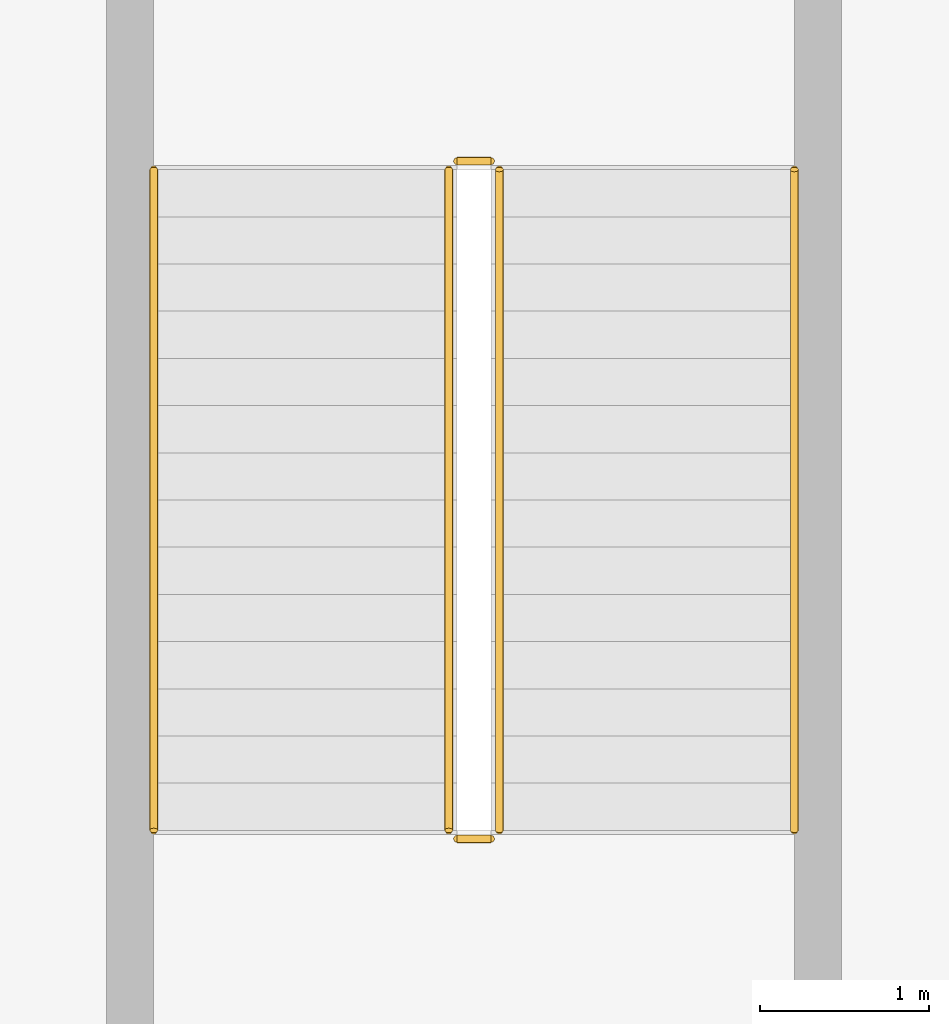
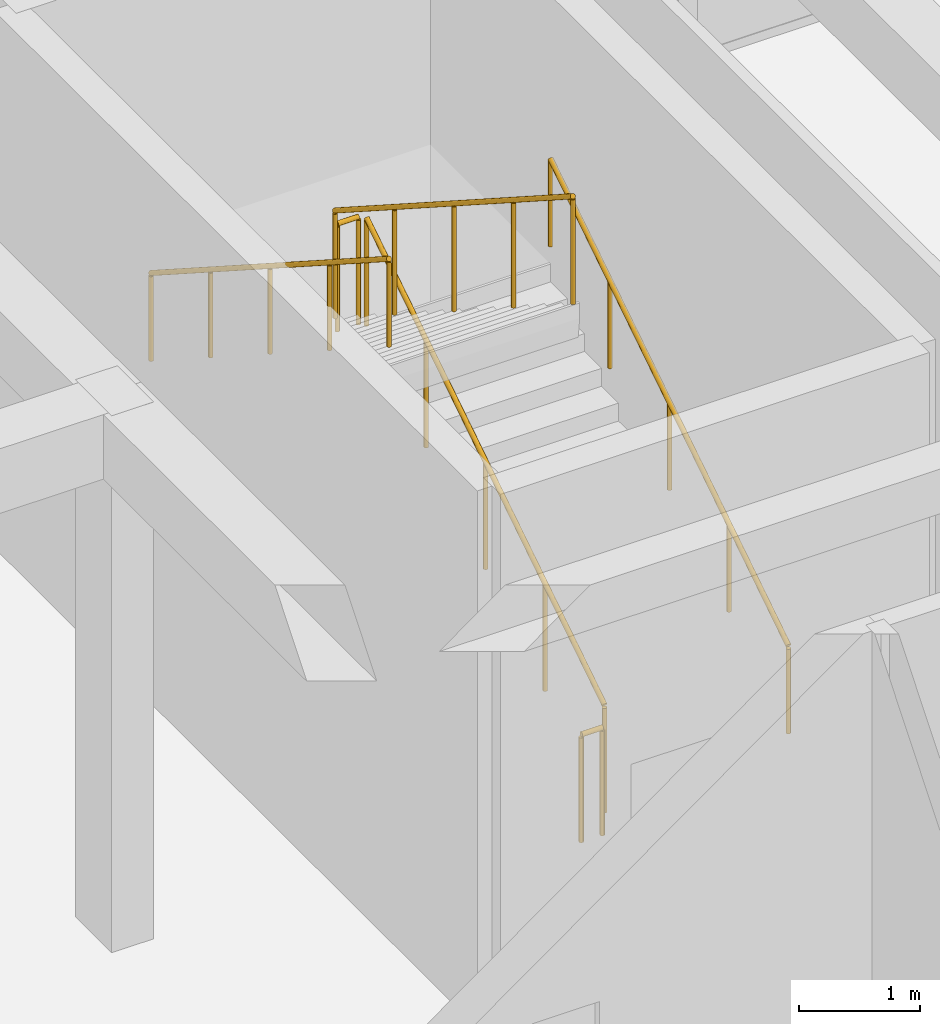
# One storey, part 84 of 89: 6 railings.
"""IFC4 building model written with IfcOpenShell, lengths in metres."""

from ifc_helpers import new_model, si_unit, direction, frame, origin, origin_2d, place, context, subcontext, project, spatial, circle, extrude, material, type_object, element, save


model = new_model("IFC4")

# Units and contexts
model_context = context("Model", 3, precision=1e-05, world=origin(), true_north=direction((0.0, 1.0)))
body_context = subcontext(model_context, "Body", "Model", "MODEL_VIEW")
ifc_project = project(units=[si_unit("LENGTHUNIT", "METRE"), si_unit("AREAUNIT", "SQUARE_METRE"), si_unit("VOLUMEUNIT", "CUBIC_METRE"), si_unit("PLANEANGLEUNIT", "RADIAN"), si_unit("MASSUNIT", "GRAM", prefix="KILO")], contexts=[model_context])

# Site, building, storey
site_placement = place(None, origin())
site = spatial("IfcSite", under=ifc_project, at=site_placement, CompositionType="ELEMENT")
building_placement = place(site_placement, origin())
building = spatial("IfcBuilding", under=site, at=building_placement, Name="Varncliffe General Hospital", CompositionType="ELEMENT")
storey_placement = place(building_placement, frame((0.0, 0.0, 10.800048828125)))
storey = spatial("IfcBuildingStorey", under=building, at=storey_placement, Name="L02", CompositionType="ELEMENT", Elevation=10.800048828125)

# Railings
ifc_material = material(Name="Powder-coated hospital steel guardrail and handrail", Category="steel")
railing_type_1 = type_object("IfcRailingType", Name="Stair and Ramp Handrail HR46", PredefinedType="HANDRAIL", material=ifc_material)
railing_1_placement = place(storey_placement, frame((140.35009765625, 31.60009765625, 0.364013671875)))
element("IfcRailing", 1, at=railing_1_placement, inside=storey, type_object=railing_type_1, Name="L02 ST15 stair handrail 1", PredefinedType="HANDRAIL", context=body_context, shape_type="SweptSolid", body=[
    extrude(circle(Radius=0.02392578125, at=origin_2d()), frame((0.0, 0.0, 0.8759765625), z_axis=(0.0, 0.841171666519, 0.540768182723), x_axis=(-1.0, 0.0, 0.0)), (0.0, 0.0, 1.0), 4.66015625),
    extrude(circle(Radius=0.02099609375, at=origin_2d()), origin(), (0.0, 0.0, 1.0), 0.851806640625),
    extrude(circle(Radius=0.02099609375, at=origin_2d()), frame((0.0, 0.97998046875, 0.6298828125)), (0.0, 0.0, 1.0), 0.851806640625),
    extrude(circle(Radius=0.02099609375, at=origin_2d()), frame((0.0, 1.9599609375, 1.260009765625)), (0.0, 0.0, 1.0), 0.851806640625),
    extrude(circle(Radius=0.02099609375, at=origin_2d()), frame((0.0, 2.93994140625, 1.89013671875)), (0.0, 0.0, 1.0), 0.851806640625),
    extrude(circle(Radius=0.02099609375, at=origin_2d()), frame((0.0, 3.919921875, 2.52001953125)), (0.0, 0.0, 1.0), 0.851806640625),
])
railing_2_placement = place(storey_placement, frame((136.550048828125, 35.52001953125, 3.06396484375)))
element("IfcRailing", 2, at=railing_2_placement, inside=storey, type_object=railing_type_1, Name="L02 ST15 stair handrail 2", PredefinedType="HANDRAIL", context=body_context, shape_type="SweptSolid", body=[
    extrude(circle(Radius=0.02392578125, at=origin_2d()), frame((0.0, 0.0, 0.8759765625), z_axis=(0.0, -0.841171666519, 0.540768182723), x_axis=(1.0, 0.0, 0.0)), (0.0, 0.0, 1.0), 4.66015625),
    extrude(circle(Radius=0.02099609375, at=origin_2d()), origin(), (0.0, 0.0, 1.0), 0.851806640625),
    extrude(circle(Radius=0.02099609375, at=origin_2d()), frame((0.0, -0.97998046875, 0.6298828125)), (0.0, 0.0, 1.0), 0.851806640625),
    extrude(circle(Radius=0.02099609375, at=origin_2d()), frame((0.0, -1.9599609375, 1.260009765625)), (0.0, 0.0, 1.0), 0.851806640625),
    extrude(circle(Radius=0.02099609375, at=origin_2d()), frame((0.0, -2.93994140625, 1.89013671875)), (0.0, 0.0, 1.0), 0.851806640625),
    extrude(circle(Radius=0.02099609375, at=origin_2d()), frame((0.0, -3.919921875, 2.52001953125)), (0.0, 0.0, 1.0), 0.851806640625),
])
railing_type_2 = type_object("IfcRailingType", Name="Stairwell Guardrail SG49", PredefinedType="GUARDRAIL", material=ifc_material)
railing_3_placement = place(storey_placement, frame((138.60009765625, 31.60009765625, 0.179931640625)))
element("IfcRailing", 3, at=railing_3_placement, inside=storey, type_object=railing_type_2, Name="L02 ST15 stair guard 1", PredefinedType="GUARDRAIL", context=body_context, shape_type="SweptSolid", body=[
    extrude(circle(Radius=0.02392578125, at=origin_2d()), frame((0.0, 0.0, 1.076171875), z_axis=(0.0, 0.841171666519, 0.540768182723), x_axis=(-1.0, 0.0, 0.0)), (0.0, 0.0, 1.0), 4.66015625),
    extrude(circle(Radius=0.02099609375, at=origin_2d()), origin(), (0.0, 0.0, 1.0), 1.052001953125),
    extrude(circle(Radius=0.02099609375, at=origin_2d()), frame((0.0, 0.97998046875, 0.6298828125)), (0.0, 0.0, 1.0), 1.052001953125),
    extrude(circle(Radius=0.02099609375, at=origin_2d()), frame((0.0, 1.9599609375, 1.260009765625)), (0.0, 0.0, 1.0), 1.052001953125),
    extrude(circle(Radius=0.02099609375, at=origin_2d()), frame((0.0, 2.93994140625, 1.89013671875)), (0.0, 0.0, 1.0), 1.052001953125),
    extrude(circle(Radius=0.02099609375, at=origin_2d()), frame((0.0, 3.919921875, 2.52001953125)), (0.0, 0.0, 1.0), 1.052001953125),
])
railing_4_placement = place(storey_placement, frame((138.550048828125, 35.570068359375, 2.699951171875)))
element("IfcRailing", 4, at=railing_4_placement, inside=storey, type_object=railing_type_2, Name="L02 ST15 stair guard 2", PredefinedType="GUARDRAIL", context=body_context, shape_type="SweptSolid", body=[
    extrude(circle(Radius=0.02392578125, at=origin_2d()), frame((0.0, 0.0, 1.076171875), z_axis=(-1.0, 0.0, 0.0), x_axis=(0.0, -1.0, 0.0)), (0.0, 0.0, 1.0), 0.199951171875),
    extrude(circle(Radius=0.02099609375, at=origin_2d()), origin(), (0.0, 0.0, 1.0), 1.052001953125),
    extrude(circle(Radius=0.02099609375, at=origin_2d()), frame((-0.199951171875, 0.0, 0.0)), (0.0, 0.0, 1.0), 1.052001953125),
])
railing_5_placement = place(storey_placement, frame((138.300048828125, 35.52001953125, 2.8798828125)))
element("IfcRailing", 5, at=railing_5_placement, inside=storey, type_object=railing_type_2, Name="L02 ST15 stair guard 3", PredefinedType="GUARDRAIL", context=body_context, shape_type="SweptSolid", body=[
    extrude(circle(Radius=0.02392578125, at=origin_2d()), frame((0.0, 0.0, 1.076171875), z_axis=(0.0, -0.841171666519, 0.540768182723), x_axis=(1.0, 0.0, 0.0)), (0.0, 0.0, 1.0), 4.66015625),
    extrude(circle(Radius=0.02099609375, at=origin_2d()), origin(), (0.0, 0.0, 1.0), 1.052001953125),
    extrude(circle(Radius=0.02099609375, at=origin_2d()), frame((0.0, -0.97998046875, 0.6298828125)), (0.0, 0.0, 1.0), 1.052001953125),
    extrude(circle(Radius=0.02099609375, at=origin_2d()), frame((0.0, -1.9599609375, 1.260009765625)), (0.0, 0.0, 1.0), 1.052001953125),
    extrude(circle(Radius=0.02099609375, at=origin_2d()), frame((0.0, -2.93994140625, 1.89013671875)), (0.0, 0.0, 1.0), 1.052001953125),
    extrude(circle(Radius=0.02099609375, at=origin_2d()), frame((0.0, -3.919921875, 2.52001953125)), (0.0, 0.0, 1.0), 1.052001953125),
])
railing_6_placement = place(storey_placement, frame((138.550048828125, 31.550048828125, 0.0)))
element("IfcRailing", 6, at=railing_6_placement, inside=storey, type_object=railing_type_2, Name="L02 ST15 stair guard 4", PredefinedType="GUARDRAIL", context=body_context, shape_type="SweptSolid", body=[
    extrude(circle(Radius=0.02392578125, at=origin_2d()), frame((0.0, 0.0, 1.076171875), z_axis=(-1.0, 0.0, 0.0), x_axis=(0.0, -1.0, 0.0)), (0.0, 0.0, 1.0), 0.199951171875),
    extrude(circle(Radius=0.02099609375, at=origin_2d()), origin(), (0.0, 0.0, 1.0), 1.052001953125),
    extrude(circle(Radius=0.02099609375, at=origin_2d()), frame((-0.199951171875, 0.0, 0.0)), (0.0, 0.0, 1.0), 1.052001953125),
])

save(model, "model.ifc")
